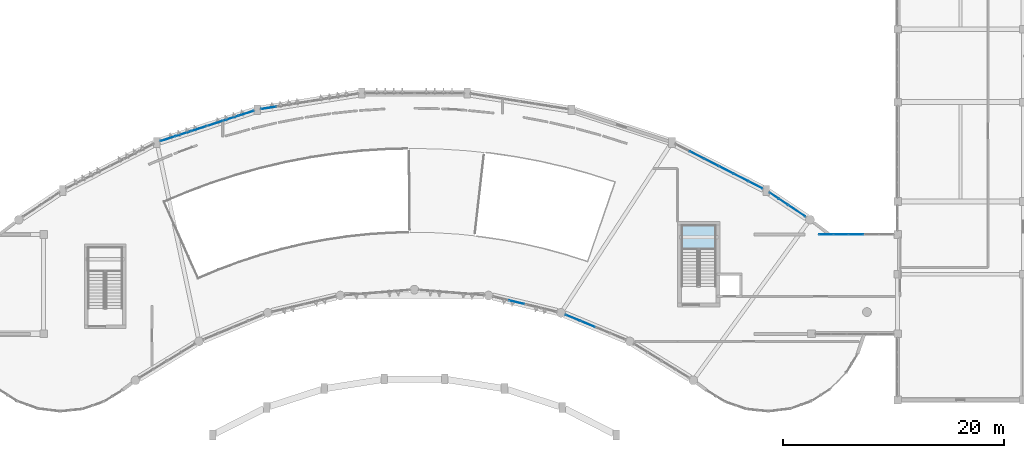
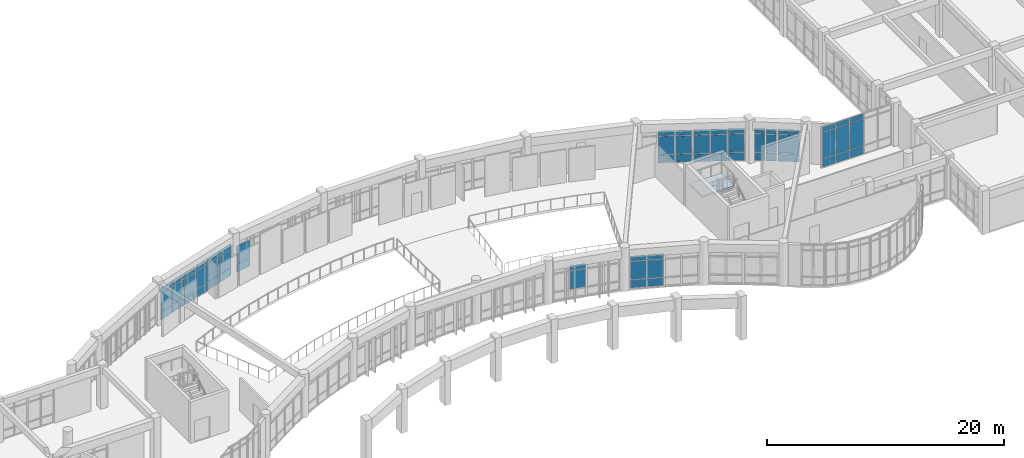
# One storey, part 37 of 57: 61 plates, 1 slab, 11 elements without a shape of their own.
"""IFC4 building model written with IfcOpenShell, lengths in metres."""

from ifc_helpers import new_model, si_unit, direction, frame, origin, origin_2d, place, context, subcontext, project, spatial, polyline, rectangle, outline, extrude, material, layer, layer_set, type_object, element, aggregate, save


model = new_model("IFC4")

# Units and contexts
model_context = context("Model", 3, precision=1e-05, world=origin(), true_north=direction((0.0, 1.0)))
body_context = subcontext(model_context, "Body", "Model", "MODEL_VIEW")
ifc_project = project(units=[si_unit("LENGTHUNIT", "METRE"), si_unit("AREAUNIT", "SQUARE_METRE"), si_unit("VOLUMEUNIT", "CUBIC_METRE"), si_unit("PLANEANGLEUNIT", "RADIAN"), si_unit("MASSUNIT", "GRAM", prefix="KILO")], contexts=[model_context])

# Site, building, storey
site_placement = place(None, origin())
site = spatial("IfcSite", under=ifc_project, at=site_placement, CompositionType="ELEMENT")
building_placement = place(site_placement, origin())
building = spatial("IfcBuilding", under=site, at=building_placement, Name="Miralva Faculty of Natural Sciences", CompositionType="ELEMENT")
storey_placement = place(building_placement, frame((0.0, 0.0, 15.0)))
storey = spatial("IfcBuildingStorey", under=building, at=storey_placement, Name="L03", CompositionType="ELEMENT", Elevation=15.0)

# Curtain wall, plates
ifc_material_1 = material(Name="Laminated solar-control glass", Category="glass")
ifc_layer_1 = layer(ifc_material_1, 0.179931640625, Name="CW-ARC-L03")
ifc_layer_set_1 = layer_set([ifc_layer_1], Name="Laminated solar-control glass")
curtain_wall_type_1 = type_object("IfcCurtainWallType", Name="CW-ARC-L03", PredefinedType="USERDEFINED", material=ifc_layer_set_1)
curtain_wall_1_placement = place(storey_placement, origin())
curtain_wall_1 = element("IfcCurtainWall", 1, at=curtain_wall_1_placement, inside=storey, type_object=curtain_wall_type_1, Name="Curtain wall CW-03 L03-119", ObjectType="UNITISED CURTAIN WALL", PredefinedType="USERDEFINED")
ifc_layer_2 = layer(ifc_material_1, 0.028076171875, Name="PNL-P01")
ifc_layer_set_2 = layer_set([ifc_layer_2], Name="Laminated solar-control glass")
plate_type = type_object("IfcPlateType", Name="PNL-P01", PredefinedType="CURTAIN_PANEL", material=ifc_layer_set_2)
plate_1_placement = place(storey_placement, frame((99.267333984375, 20.860595703125, 0.9326171875), z_axis=(0.0, 0.0, 1.0), x_axis=(0.972367185898, -0.233456753574, 0.0)))
plate_1 = element("IfcPlate", 2, at=plate_1_placement, type_object=plate_type, Name="CW-03 panel 2.2", PredefinedType="CURTAIN_PANEL", context=body_context, shape_type="SweptSolid", body=[
    extrude(rectangle(XDim=1.391845703125, YDim=0.028076171875, at=origin_2d()), origin(), (0.0, 0.0, 1.0), 1.840087890625),
])
plate_2_placement = place(storey_placement, frame((99.267333984375, 20.860595703125, 2.837646484375), z_axis=(0.0, 0.0, 1.0), x_axis=(0.972367185898, -0.233456753574, 0.0)))
plate_2 = element("IfcPlate", 3, at=plate_2_placement, type_object=plate_type, Name="CW-03 panel 2.3", PredefinedType="CURTAIN_PANEL", context=body_context, shape_type="SweptSolid", body=[
    extrude(rectangle(XDim=1.391845703125, YDim=0.028076171875, at=origin_2d()), origin(), (0.0, 0.0, 1.0), 0.50244140625),
])
aggregate(curtain_wall_1, [plate_1, plate_2])

curtain_wall_2_placement = place(storey_placement, origin())
curtain_wall_2 = element("IfcCurtainWall", 4, at=curtain_wall_2_placement, inside=storey, type_object=curtain_wall_type_1, Name="Curtain wall CW-03 L03-121", ObjectType="UNITISED CURTAIN WALL", PredefinedType="USERDEFINED")
plate_3_placement = place(storey_placement, frame((104.36962890625, 19.447265625, 0.06494140625), z_axis=(0.0, 0.0, 1.0), x_axis=(0.9238907876, -0.382656259046, 0.0)))
plate_3 = element("IfcPlate", 5, at=plate_3_placement, type_object=plate_type, Name="CW-03 panel 1.1", PredefinedType="CURTAIN_PANEL", context=body_context, shape_type="SweptSolid", body=[
    extrude(rectangle(XDim=1.3818359375, YDim=0.028076171875, at=origin_2d()), origin(), (0.0, 0.0, 1.0), 0.802490234375),
])
plate_4_placement = place(storey_placement, frame((104.36962890625, 19.447265625, 0.9326171875), z_axis=(0.0, 0.0, 1.0), x_axis=(0.9238907876, -0.382656259046, 0.0)))
plate_4 = element("IfcPlate", 6, at=plate_4_placement, type_object=plate_type, Name="CW-03 panel 1.2", PredefinedType="CURTAIN_PANEL", context=body_context, shape_type="SweptSolid", body=[
    extrude(rectangle(XDim=1.3818359375, YDim=0.028076171875, at=origin_2d()), origin(), (0.0, 0.0, 1.0), 1.840087890625),
])
plate_5_placement = place(storey_placement, frame((104.36962890625, 19.447265625, 2.837646484375), z_axis=(0.0, 0.0, 1.0), x_axis=(0.9238907876, -0.382656259046, 0.0)))
plate_5 = element("IfcPlate", 7, at=plate_5_placement, type_object=plate_type, Name="CW-03 panel 1.3", PredefinedType="CURTAIN_PANEL", context=body_context, shape_type="SweptSolid", body=[
    extrude(rectangle(XDim=1.3818359375, YDim=0.028076171875, at=origin_2d()), origin(), (0.0, 0.0, 1.0), 0.50244140625),
])
plate_6_placement = place(storey_placement, frame((105.706298828125, 18.8935546875, 0.06494140625), z_axis=(0.0, 0.0, 1.0), x_axis=(0.9238907876, -0.382656259046, 0.0)))
plate_6 = element("IfcPlate", 8, at=plate_6_placement, type_object=plate_type, Name="CW-03 panel 2.1", PredefinedType="CURTAIN_PANEL", context=body_context, shape_type="SweptSolid", body=[
    extrude(rectangle(XDim=1.3818359375, YDim=0.028076171875, at=origin_2d()), origin(), (0.0, 0.0, 1.0), 0.802490234375),
])
plate_7_placement = place(storey_placement, frame((105.706298828125, 18.8935546875, 0.9326171875), z_axis=(0.0, 0.0, 1.0), x_axis=(0.9238907876, -0.382656259046, 0.0)))
plate_7 = element("IfcPlate", 9, at=plate_7_placement, type_object=plate_type, Name="CW-03 panel 2.2", PredefinedType="CURTAIN_PANEL", context=body_context, shape_type="SweptSolid", body=[
    extrude(rectangle(XDim=1.3818359375, YDim=0.028076171875, at=origin_2d()), origin(), (0.0, 0.0, 1.0), 1.840087890625),
])
plate_8_placement = place(storey_placement, frame((105.706298828125, 18.8935546875, 2.837646484375), z_axis=(0.0, 0.0, 1.0), x_axis=(0.9238907876, -0.382656259046, 0.0)))
plate_8 = element("IfcPlate", 10, at=plate_8_placement, type_object=plate_type, Name="CW-03 panel 2.3", PredefinedType="CURTAIN_PANEL", context=body_context, shape_type="SweptSolid", body=[
    extrude(rectangle(XDim=1.3818359375, YDim=0.028076171875, at=origin_2d()), origin(), (0.0, 0.0, 1.0), 0.50244140625),
])
aggregate(curtain_wall_2, [plate_3, plate_4, plate_5, plate_6, plate_7, plate_8])

curtain_wall_3_placement = place(storey_placement, origin())
curtain_wall_3 = element("IfcCurtainWall", 11, at=curtain_wall_3_placement, inside=storey, type_object=curtain_wall_type_1, Name="Curtain wall CW-03 L03-129", ObjectType="UNITISED CURTAIN WALL", PredefinedType="USERDEFINED")
plate_9_placement = place(storey_placement, frame((67.6640625, 35.68408203125, 0.06005859375), z_axis=(0.0, 0.0, 1.0), x_axis=(0.951058446626, 0.309011053363, 0.0)))
plate_9 = element("IfcPlate", 12, at=plate_9_placement, type_object=plate_type, Name="CW-03 panel 1.1", PredefinedType="CURTAIN_PANEL", context=body_context, shape_type="SweptSolid", body=[
    extrude(rectangle(XDim=1.3994140625, YDim=0.028076171875, at=origin_2d()), origin(), (0.0, 0.0, 1.0), 0.81005859375),
])
plate_10_placement = place(storey_placement, frame((67.6640625, 35.68408203125, 0.93017578125), z_axis=(0.0, 0.0, 1.0), x_axis=(0.951058446626, 0.309011053363, 0.0)))
plate_10 = element("IfcPlate", 13, at=plate_10_placement, type_object=plate_type, Name="CW-03 panel 1.2", PredefinedType="CURTAIN_PANEL", context=body_context, shape_type="SweptSolid", body=[
    extrude(rectangle(XDim=1.3994140625, YDim=0.028076171875, at=origin_2d()), origin(), (0.0, 0.0, 1.0), 1.844970703125),
])
plate_11_placement = place(storey_placement, frame((67.6640625, 35.68408203125, 2.8349609375), z_axis=(0.0, 0.0, 1.0), x_axis=(0.951058446626, 0.309011053363, 0.0)))
plate_11 = element("IfcPlate", 14, at=plate_11_placement, type_object=plate_type, Name="CW-03 panel 1.3", PredefinedType="CURTAIN_PANEL", context=body_context, shape_type="SweptSolid", body=[
    extrude(rectangle(XDim=1.3994140625, YDim=0.028076171875, at=origin_2d()), origin(), (0.0, 0.0, 1.0), 0.510009765625),
])
plate_12_placement = place(storey_placement, frame((69.072509765625, 36.1416015625, 0.06005859375), z_axis=(0.0, 0.0, 1.0), x_axis=(0.951058446626, 0.309011053363, 0.0)))
plate_12 = element("IfcPlate", 15, at=plate_12_placement, type_object=plate_type, Name="CW-03 panel 2.1", PredefinedType="CURTAIN_PANEL", context=body_context, shape_type="SweptSolid", body=[
    extrude(rectangle(XDim=1.43212890625, YDim=0.028076171875, at=origin_2d()), origin(), (0.0, 0.0, 1.0), 0.81005859375),
])
plate_13_placement = place(storey_placement, frame((69.072509765625, 36.1416015625, 0.93017578125), z_axis=(0.0, 0.0, 1.0), x_axis=(0.951058446626, 0.309011053363, 0.0)))
plate_13 = element("IfcPlate", 16, at=plate_13_placement, type_object=plate_type, Name="CW-03 panel 2.2", PredefinedType="CURTAIN_PANEL", context=body_context, shape_type="SweptSolid", body=[
    extrude(rectangle(XDim=1.43212890625, YDim=0.028076171875, at=origin_2d()), origin(), (0.0, 0.0, 1.0), 1.844970703125),
])
plate_14_placement = place(storey_placement, frame((69.072509765625, 36.1416015625, 2.8349609375), z_axis=(0.0, 0.0, 1.0), x_axis=(0.951058446626, 0.309011053363, 0.0)))
plate_14 = element("IfcPlate", 17, at=plate_14_placement, type_object=plate_type, Name="CW-03 panel 2.3", PredefinedType="CURTAIN_PANEL", context=body_context, shape_type="SweptSolid", body=[
    extrude(rectangle(XDim=1.43212890625, YDim=0.028076171875, at=origin_2d()), origin(), (0.0, 0.0, 1.0), 0.510009765625),
])
plate_15_placement = place(storey_placement, frame((70.480712890625, 36.599365234375, 0.06005859375), z_axis=(0.0, 0.0, 1.0), x_axis=(0.951058446626, 0.309011053363, 0.0)))
plate_15 = element("IfcPlate", 18, at=plate_15_placement, type_object=plate_type, Name="CW-03 panel 3.1", PredefinedType="CURTAIN_PANEL", context=body_context, shape_type="SweptSolid", body=[
    extrude(rectangle(XDim=1.3994140625, YDim=0.028076171875, at=origin_2d()), origin(), (0.0, 0.0, 1.0), 0.81005859375),
])
plate_16_placement = place(storey_placement, frame((70.480712890625, 36.599365234375, 0.93017578125), z_axis=(0.0, 0.0, 1.0), x_axis=(0.951058446626, 0.309011053363, 0.0)))
plate_16 = element("IfcPlate", 19, at=plate_16_placement, type_object=plate_type, Name="CW-03 panel 3.2", PredefinedType="CURTAIN_PANEL", context=body_context, shape_type="SweptSolid", body=[
    extrude(rectangle(XDim=1.3994140625, YDim=0.028076171875, at=origin_2d()), origin(), (0.0, 0.0, 1.0), 1.844970703125),
])
plate_17_placement = place(storey_placement, frame((70.480712890625, 36.599365234375, 2.8349609375), z_axis=(0.0, 0.0, 1.0), x_axis=(0.951058446626, 0.309011053363, 0.0)))
plate_17 = element("IfcPlate", 20, at=plate_17_placement, type_object=plate_type, Name="CW-03 panel 3.3", PredefinedType="CURTAIN_PANEL", context=body_context, shape_type="SweptSolid", body=[
    extrude(rectangle(XDim=1.3994140625, YDim=0.028076171875, at=origin_2d()), origin(), (0.0, 0.0, 1.0), 0.510009765625),
])
aggregate(curtain_wall_3, [plate_9, plate_10, plate_11, plate_12, plate_13, plate_14, plate_15, plate_16, plate_17])

curtain_wall_4_placement = place(storey_placement, origin())
curtain_wall_4 = element("IfcCurtainWall", 21, at=curtain_wall_4_placement, inside=storey, type_object=curtain_wall_type_1, Name="Curtain wall CW-03 L03-130", ObjectType="UNITISED CURTAIN WALL", PredefinedType="USERDEFINED")
plate_18_placement = place(storey_placement, frame((71.931396484375, 37.070556640625, 0.06005859375), z_axis=(0.0, 0.0, 1.0), x_axis=(0.95106021738, 0.309005603375, 0.0)))
plate_18 = element("IfcPlate", 22, at=plate_18_placement, type_object=plate_type, Name="CW-03 panel 1.1", PredefinedType="CURTAIN_PANEL", context=body_context, shape_type="SweptSolid", body=[
    extrude(rectangle(XDim=1.401123046875, YDim=0.028076171875, at=origin_2d()), origin(), (0.0, 0.0, 1.0), 0.81005859375),
])
plate_19_placement = place(storey_placement, frame((71.931396484375, 37.070556640625, 0.93017578125), z_axis=(0.0, 0.0, 1.0), x_axis=(0.95106021738, 0.309005603375, 0.0)))
plate_19 = element("IfcPlate", 23, at=plate_19_placement, type_object=plate_type, Name="CW-03 panel 1.2", PredefinedType="CURTAIN_PANEL", context=body_context, shape_type="SweptSolid", body=[
    extrude(rectangle(XDim=1.401123046875, YDim=0.028076171875, at=origin_2d()), origin(), (0.0, 0.0, 1.0), 1.844970703125),
])
plate_20_placement = place(storey_placement, frame((71.931396484375, 37.070556640625, 2.8349609375), z_axis=(0.0, 0.0, 1.0), x_axis=(0.95106021738, 0.309005603375, 0.0)))
plate_20 = element("IfcPlate", 24, at=plate_20_placement, type_object=plate_type, Name="CW-03 panel 1.3", PredefinedType="CURTAIN_PANEL", context=body_context, shape_type="SweptSolid", body=[
    extrude(rectangle(XDim=1.401123046875, YDim=0.028076171875, at=origin_2d()), origin(), (0.0, 0.0, 1.0), 0.510009765625),
])
plate_21_placement = place(storey_placement, frame((73.34130859375, 37.52880859375, 0.06005859375), z_axis=(0.0, 0.0, 1.0), x_axis=(0.95106021738, 0.309005603375, 0.0)))
plate_21 = element("IfcPlate", 25, at=plate_21_placement, type_object=plate_type, Name="CW-03 panel 2.1", PredefinedType="CURTAIN_PANEL", context=body_context, shape_type="SweptSolid", body=[
    extrude(rectangle(XDim=1.43359375, YDim=0.028076171875, at=origin_2d()), origin(), (0.0, 0.0, 1.0), 0.81005859375),
])
plate_22_placement = place(storey_placement, frame((73.34130859375, 37.52880859375, 0.93017578125), z_axis=(0.0, 0.0, 1.0), x_axis=(0.95106021738, 0.309005603375, 0.0)))
plate_22 = element("IfcPlate", 26, at=plate_22_placement, type_object=plate_type, Name="CW-03 panel 2.2", PredefinedType="CURTAIN_PANEL", context=body_context, shape_type="SweptSolid", body=[
    extrude(rectangle(XDim=1.43359375, YDim=0.028076171875, at=origin_2d()), origin(), (0.0, 0.0, 1.0), 1.844970703125),
])
plate_23_placement = place(storey_placement, frame((73.34130859375, 37.52880859375, 2.8349609375), z_axis=(0.0, 0.0, 1.0), x_axis=(0.95106021738, 0.309005603375, 0.0)))
plate_23 = element("IfcPlate", 27, at=plate_23_placement, type_object=plate_type, Name="CW-03 panel 2.3", PredefinedType="CURTAIN_PANEL", context=body_context, shape_type="SweptSolid", body=[
    extrude(rectangle(XDim=1.43359375, YDim=0.028076171875, at=origin_2d()), origin(), (0.0, 0.0, 1.0), 0.510009765625),
])
plate_24_placement = place(storey_placement, frame((74.751220703125, 37.98681640625, 0.06005859375), z_axis=(0.0, 0.0, 1.0), x_axis=(0.95106021738, 0.309005603375, 0.0)))
plate_24 = element("IfcPlate", 28, at=plate_24_placement, type_object=plate_type, Name="CW-03 panel 3.1", PredefinedType="CURTAIN_PANEL", context=body_context, shape_type="SweptSolid", body=[
    extrude(rectangle(XDim=1.401123046875, YDim=0.028076171875, at=origin_2d()), origin(), (0.0, 0.0, 1.0), 0.81005859375),
])
plate_25_placement = place(storey_placement, frame((74.751220703125, 37.98681640625, 0.93017578125), z_axis=(0.0, 0.0, 1.0), x_axis=(0.95106021738, 0.309005603375, 0.0)))
plate_25 = element("IfcPlate", 29, at=plate_25_placement, type_object=plate_type, Name="CW-03 panel 3.2", PredefinedType="CURTAIN_PANEL", context=body_context, shape_type="SweptSolid", body=[
    extrude(rectangle(XDim=1.401123046875, YDim=0.028076171875, at=origin_2d()), origin(), (0.0, 0.0, 1.0), 1.844970703125),
])
plate_26_placement = place(storey_placement, frame((74.751220703125, 37.98681640625, 2.8349609375), z_axis=(0.0, 0.0, 1.0), x_axis=(0.95106021738, 0.309005603375, 0.0)))
plate_26 = element("IfcPlate", 30, at=plate_26_placement, type_object=plate_type, Name="CW-03 panel 3.3", PredefinedType="CURTAIN_PANEL", context=body_context, shape_type="SweptSolid", body=[
    extrude(rectangle(XDim=1.401123046875, YDim=0.028076171875, at=origin_2d()), origin(), (0.0, 0.0, 1.0), 0.510009765625),
])
aggregate(curtain_wall_4, [plate_18, plate_19, plate_20, plate_21, plate_22, plate_23, plate_24, plate_25, plate_26])

curtain_wall_5_placement = place(storey_placement, origin())
curtain_wall_5 = element("IfcCurtainWall", 31, at=curtain_wall_5_placement, inside=storey, type_object=curtain_wall_type_1, Name="Curtain wall CW-03 L03-131", ObjectType="UNITISED CURTAIN WALL", PredefinedType="USERDEFINED")
plate_27_placement = place(storey_placement, frame((76.79833984375, 38.47900390625, 0.06005859375), z_axis=(0.0, 0.0, 1.0), x_axis=(0.987688816642, 0.156431459367, 0.0)))
plate_27 = element("IfcPlate", 32, at=plate_27_placement, type_object=plate_type, Name="CW-03 panel 1.1", PredefinedType="CURTAIN_PANEL", context=body_context, shape_type="SweptSolid", body=[
    extrude(rectangle(XDim=1.40283203125, YDim=0.028076171875, at=origin_2d()), origin(), (0.0, 0.0, 1.0), 0.81005859375),
])
plate_28_placement = place(storey_placement, frame((76.79833984375, 38.47900390625, 0.93017578125), z_axis=(0.0, 0.0, 1.0), x_axis=(0.987688816642, 0.156431459367, 0.0)))
plate_28 = element("IfcPlate", 33, at=plate_28_placement, type_object=plate_type, Name="CW-03 panel 1.2", PredefinedType="CURTAIN_PANEL", context=body_context, shape_type="SweptSolid", body=[
    extrude(rectangle(XDim=1.40283203125, YDim=0.028076171875, at=origin_2d()), origin(), (0.0, 0.0, 1.0), 1.844970703125),
])
aggregate(curtain_wall_5, [plate_27, plate_28])

curtain_wall_6_placement = place(storey_placement, origin())
curtain_wall_6 = element("IfcCurtainWall", 34, at=curtain_wall_6_placement, inside=storey, type_object=curtain_wall_type_1, Name="Curtain wall CW-03 L03-137", ObjectType="UNITISED CURTAIN WALL", PredefinedType="USERDEFINED")
plate_29_placement = place(storey_placement, frame((115.6162109375, 34.19873046875, 0.06005859375), z_axis=(0.0, 0.0, 1.0), x_axis=(0.891015257812, -0.453973358631, 0.0)))
plate_29 = element("IfcPlate", 35, at=plate_29_placement, type_object=plate_type, Name="CW-03 panel 2.1", PredefinedType="CURTAIN_PANEL", context=body_context, shape_type="SweptSolid", body=[
    extrude(rectangle(XDim=1.42529296875, YDim=0.028076171875, at=origin_2d()), origin(), (0.0, 0.0, 1.0), 0.81005859375),
])
plate_30_placement = place(storey_placement, frame((115.6162109375, 34.19873046875, 0.93017578125), z_axis=(0.0, 0.0, 1.0), x_axis=(0.891015257812, -0.453973358631, 0.0)))
plate_30 = element("IfcPlate", 36, at=plate_30_placement, type_object=plate_type, Name="CW-03 panel 2.2", PredefinedType="CURTAIN_PANEL", context=body_context, shape_type="SweptSolid", body=[
    extrude(rectangle(XDim=1.42529296875, YDim=0.028076171875, at=origin_2d()), origin(), (0.0, 0.0, 1.0), 1.844970703125),
])
plate_31_placement = place(storey_placement, frame((115.6162109375, 34.19873046875, 2.8349609375), z_axis=(0.0, 0.0, 1.0), x_axis=(0.891015257812, -0.453973358631, 0.0)))
plate_31 = element("IfcPlate", 37, at=plate_31_placement, type_object=plate_type, Name="CW-03 panel 2.3", PredefinedType="CURTAIN_PANEL", context=body_context, shape_type="SweptSolid", body=[
    extrude(rectangle(XDim=1.42529296875, YDim=0.028076171875, at=origin_2d()), origin(), (0.0, 0.0, 1.0), 0.510009765625),
])
plate_32_placement = place(storey_placement, frame((116.9296875, 33.529541015625, 0.06005859375), z_axis=(0.0, 0.0, 1.0), x_axis=(0.891015257812, -0.453973358631, 0.0)))
plate_32 = element("IfcPlate", 38, at=plate_32_placement, type_object=plate_type, Name="CW-03 panel 3.1", PredefinedType="CURTAIN_PANEL", context=body_context, shape_type="SweptSolid", body=[
    extrude(rectangle(XDim=1.392822265625, YDim=0.028076171875, at=origin_2d()), origin(), (0.0, 0.0, 1.0), 0.81005859375),
])
plate_33_placement = place(storey_placement, frame((116.9296875, 33.529541015625, 0.93017578125), z_axis=(0.0, 0.0, 1.0), x_axis=(0.891015257812, -0.453973358631, 0.0)))
plate_33 = element("IfcPlate", 39, at=plate_33_placement, type_object=plate_type, Name="CW-03 panel 3.2", PredefinedType="CURTAIN_PANEL", context=body_context, shape_type="SweptSolid", body=[
    extrude(rectangle(XDim=1.392822265625, YDim=0.028076171875, at=origin_2d()), origin(), (0.0, 0.0, 1.0), 1.844970703125),
])
plate_34_placement = place(storey_placement, frame((116.9296875, 33.529541015625, 2.8349609375), z_axis=(0.0, 0.0, 1.0), x_axis=(0.891015257812, -0.453973358631, 0.0)))
plate_34 = element("IfcPlate", 40, at=plate_34_placement, type_object=plate_type, Name="CW-03 panel 3.3", PredefinedType="CURTAIN_PANEL", context=body_context, shape_type="SweptSolid", body=[
    extrude(rectangle(XDim=1.392822265625, YDim=0.028076171875, at=origin_2d()), origin(), (0.0, 0.0, 1.0), 0.510009765625),
])
aggregate(curtain_wall_6, [plate_29, plate_30, plate_31, plate_32, plate_33, plate_34])

curtain_wall_7_placement = place(storey_placement, origin())
curtain_wall_7 = element("IfcCurtainWall", 41, at=curtain_wall_7_placement, inside=storey, type_object=curtain_wall_type_1, Name="Curtain wall CW-03 L03-138", ObjectType="UNITISED CURTAIN WALL", PredefinedType="USERDEFINED")
plate_35_placement = place(storey_placement, frame((118.28271484375, 32.840087890625, 0.06005859375), z_axis=(0.0, 0.0, 1.0), x_axis=(0.891000961211, -0.454001417532, 0.0)))
plate_35 = element("IfcPlate", 42, at=plate_35_placement, type_object=plate_type, Name="CW-03 panel 1.1", PredefinedType="CURTAIN_PANEL", context=body_context, shape_type="SweptSolid", body=[
    extrude(rectangle(XDim=1.39453125, YDim=0.028076171875, at=origin_2d()), origin(), (0.0, 0.0, 1.0), 0.81005859375),
])
plate_36_placement = place(storey_placement, frame((118.28271484375, 32.840087890625, 0.93017578125), z_axis=(0.0, 0.0, 1.0), x_axis=(0.891000961211, -0.454001417532, 0.0)))
plate_36 = element("IfcPlate", 43, at=plate_36_placement, type_object=plate_type, Name="CW-03 panel 1.2", PredefinedType="CURTAIN_PANEL", context=body_context, shape_type="SweptSolid", body=[
    extrude(rectangle(XDim=1.39453125, YDim=0.028076171875, at=origin_2d()), origin(), (0.0, 0.0, 1.0), 1.844970703125),
])
plate_37_placement = place(storey_placement, frame((118.28271484375, 32.840087890625, 2.8349609375), z_axis=(0.0, 0.0, 1.0), x_axis=(0.891000961211, -0.454001417532, 0.0)))
plate_37 = element("IfcPlate", 44, at=plate_37_placement, type_object=plate_type, Name="CW-03 panel 1.3", PredefinedType="CURTAIN_PANEL", context=body_context, shape_type="SweptSolid", body=[
    extrude(rectangle(XDim=1.39453125, YDim=0.028076171875, at=origin_2d()), origin(), (0.0, 0.0, 1.0), 0.510009765625),
])
plate_38_placement = place(storey_placement, frame((119.59765625, 32.170166015625, 0.06005859375), z_axis=(0.0, 0.0, 1.0), x_axis=(0.891000961211, -0.454001417532, 0.0)))
plate_38 = element("IfcPlate", 45, at=plate_38_placement, type_object=plate_type, Name="CW-03 panel 2.1", PredefinedType="CURTAIN_PANEL", context=body_context, shape_type="SweptSolid", body=[
    extrude(rectangle(XDim=1.427001953125, YDim=0.028076171875, at=origin_2d()), origin(), (0.0, 0.0, 1.0), 0.81005859375),
])
plate_39_placement = place(storey_placement, frame((119.59765625, 32.170166015625, 0.93017578125), z_axis=(0.0, 0.0, 1.0), x_axis=(0.891000961211, -0.454001417532, 0.0)))
plate_39 = element("IfcPlate", 46, at=plate_39_placement, type_object=plate_type, Name="CW-03 panel 2.2", PredefinedType="CURTAIN_PANEL", context=body_context, shape_type="SweptSolid", body=[
    extrude(rectangle(XDim=1.427001953125, YDim=0.028076171875, at=origin_2d()), origin(), (0.0, 0.0, 1.0), 1.844970703125),
])
plate_40_placement = place(storey_placement, frame((119.59765625, 32.170166015625, 2.8349609375), z_axis=(0.0, 0.0, 1.0), x_axis=(0.891000961211, -0.454001417532, 0.0)))
plate_40 = element("IfcPlate", 47, at=plate_40_placement, type_object=plate_type, Name="CW-03 panel 2.3", PredefinedType="CURTAIN_PANEL", context=body_context, shape_type="SweptSolid", body=[
    extrude(rectangle(XDim=1.427001953125, YDim=0.028076171875, at=origin_2d()), origin(), (0.0, 0.0, 1.0), 0.510009765625),
])
plate_41_placement = place(storey_placement, frame((120.91259765625, 31.500244140625, 0.06005859375), z_axis=(0.0, 0.0, 1.0), x_axis=(0.891000961211, -0.454001417532, 0.0)))
plate_41 = element("IfcPlate", 48, at=plate_41_placement, type_object=plate_type, Name="CW-03 panel 3.1", PredefinedType="CURTAIN_PANEL", context=body_context, shape_type="SweptSolid", body=[
    extrude(rectangle(XDim=1.39453125, YDim=0.028076171875, at=origin_2d()), origin(), (0.0, 0.0, 1.0), 0.81005859375),
])
plate_42_placement = place(storey_placement, frame((120.91259765625, 31.500244140625, 0.93017578125), z_axis=(0.0, 0.0, 1.0), x_axis=(0.891000961211, -0.454001417532, 0.0)))
plate_42 = element("IfcPlate", 49, at=plate_42_placement, type_object=plate_type, Name="CW-03 panel 3.2", PredefinedType="CURTAIN_PANEL", context=body_context, shape_type="SweptSolid", body=[
    extrude(rectangle(XDim=1.39453125, YDim=0.028076171875, at=origin_2d()), origin(), (0.0, 0.0, 1.0), 1.844970703125),
])
plate_43_placement = place(storey_placement, frame((120.91259765625, 31.500244140625, 2.8349609375), z_axis=(0.0, 0.0, 1.0), x_axis=(0.891000961211, -0.454001417532, 0.0)))
plate_43 = element("IfcPlate", 50, at=plate_43_placement, type_object=plate_type, Name="CW-03 panel 3.3", PredefinedType="CURTAIN_PANEL", context=body_context, shape_type="SweptSolid", body=[
    extrude(rectangle(XDim=1.39453125, YDim=0.028076171875, at=origin_2d()), origin(), (0.0, 0.0, 1.0), 0.510009765625),
])
aggregate(curtain_wall_7, [plate_35, plate_36, plate_37, plate_38, plate_39, plate_40, plate_41, plate_42, plate_43])

curtain_wall_8_placement = place(storey_placement, origin())
curtain_wall_8 = element("IfcCurtainWall", 51, at=curtain_wall_8_placement, inside=storey, type_object=curtain_wall_type_1, Name="Curtain wall CW-03 L03-139", ObjectType="UNITISED CURTAIN WALL", PredefinedType="USERDEFINED")
plate_44_placement = place(storey_placement, frame((122.598876953125, 30.525634765625, 0.06005859375), z_axis=(0.0, 0.0, 1.0), x_axis=(0.831456918339, -0.555589230409, 0.0)))
plate_44 = element("IfcPlate", 52, at=plate_44_placement, type_object=plate_type, Name="CW-03 panel 1.1", PredefinedType="CURTAIN_PANEL", context=body_context, shape_type="SweptSolid", body=[
    extrude(rectangle(XDim=0.927490234375, YDim=0.028076171875, at=origin_2d()), origin(), (0.0, 0.0, 1.0), 0.81005859375),
])
plate_45_placement = place(storey_placement, frame((122.598876953125, 30.525634765625, 0.93017578125), z_axis=(0.0, 0.0, 1.0), x_axis=(0.831456918339, -0.555589230409, 0.0)))
plate_45 = element("IfcPlate", 53, at=plate_45_placement, type_object=plate_type, Name="CW-03 panel 1.2", PredefinedType="CURTAIN_PANEL", context=body_context, shape_type="SweptSolid", body=[
    extrude(rectangle(XDim=0.927490234375, YDim=0.028076171875, at=origin_2d()), origin(), (0.0, 0.0, 1.0), 1.844970703125),
])
plate_46_placement = place(storey_placement, frame((122.598876953125, 30.525634765625, 2.8349609375), z_axis=(0.0, 0.0, 1.0), x_axis=(0.831456918339, -0.555589230409, 0.0)))
plate_46 = element("IfcPlate", 54, at=plate_46_placement, type_object=plate_type, Name="CW-03 panel 1.3", PredefinedType="CURTAIN_PANEL", context=body_context, shape_type="SweptSolid", body=[
    extrude(rectangle(XDim=0.927490234375, YDim=0.028076171875, at=origin_2d()), origin(), (0.0, 0.0, 1.0), 0.510009765625),
])
plate_47_placement = place(storey_placement, frame((123.424072265625, 29.974365234375, 0.06005859375), z_axis=(0.0, 0.0, 1.0), x_axis=(0.831456918339, -0.555589230409, 0.0)))
plate_47 = element("IfcPlate", 55, at=plate_47_placement, type_object=plate_type, Name="CW-03 panel 2.1", PredefinedType="CURTAIN_PANEL", context=body_context, shape_type="SweptSolid", body=[
    extrude(rectangle(XDim=0.927490234375, YDim=0.028076171875, at=origin_2d()), origin(), (0.0, 0.0, 1.0), 0.81005859375),
])
plate_48_placement = place(storey_placement, frame((123.424072265625, 29.974365234375, 0.93017578125), z_axis=(0.0, 0.0, 1.0), x_axis=(0.831456918339, -0.555589230409, 0.0)))
plate_48 = element("IfcPlate", 56, at=plate_48_placement, type_object=plate_type, Name="CW-03 panel 2.2", PredefinedType="CURTAIN_PANEL", context=body_context, shape_type="SweptSolid", body=[
    extrude(rectangle(XDim=0.927490234375, YDim=0.028076171875, at=origin_2d()), origin(), (0.0, 0.0, 1.0), 1.844970703125),
])
plate_49_placement = place(storey_placement, frame((123.424072265625, 29.974365234375, 2.8349609375), z_axis=(0.0, 0.0, 1.0), x_axis=(0.831456918339, -0.555589230409, 0.0)))
plate_49 = element("IfcPlate", 57, at=plate_49_placement, type_object=plate_type, Name="CW-03 panel 2.3", PredefinedType="CURTAIN_PANEL", context=body_context, shape_type="SweptSolid", body=[
    extrude(rectangle(XDim=0.927490234375, YDim=0.028076171875, at=origin_2d()), origin(), (0.0, 0.0, 1.0), 0.510009765625),
])
aggregate(curtain_wall_8, [plate_44, plate_45, plate_46, plate_47, plate_48, plate_49])

curtain_wall_9_placement = place(storey_placement, origin())
curtain_wall_9 = element("IfcCurtainWall", 58, at=curtain_wall_9_placement, inside=storey, type_object=curtain_wall_type_1, Name="Curtain wall CW-03 L03-140", ObjectType="UNITISED CURTAIN WALL", PredefinedType="USERDEFINED")
plate_50_placement = place(storey_placement, frame((124.663818359375, 29.145751953125, 0.06005859375), z_axis=(0.0, 0.0, 1.0), x_axis=(0.831485319776, -0.555546724404, 0.0)))
plate_50 = element("IfcPlate", 59, at=plate_50_placement, type_object=plate_type, Name="CW-03 panel 1.1", PredefinedType="CURTAIN_PANEL", context=body_context, shape_type="SweptSolid", body=[
    extrude(rectangle(XDim=1.804931640625, YDim=0.028076171875, at=origin_2d()), origin(), (0.0, 0.0, 1.0), 0.81005859375),
])
plate_51_placement = place(storey_placement, frame((124.663818359375, 29.145751953125, 0.93017578125), z_axis=(0.0, 0.0, 1.0), x_axis=(0.831485319776, -0.555546724404, 0.0)))
plate_51 = element("IfcPlate", 60, at=plate_51_placement, type_object=plate_type, Name="CW-03 panel 1.2", PredefinedType="CURTAIN_PANEL", context=body_context, shape_type="SweptSolid", body=[
    extrude(rectangle(XDim=1.804931640625, YDim=0.028076171875, at=origin_2d()), origin(), (0.0, 0.0, 1.0), 1.844970703125),
])
plate_52_placement = place(storey_placement, frame((124.663818359375, 29.145751953125, 2.8349609375), z_axis=(0.0, 0.0, 1.0), x_axis=(0.831485319776, -0.555546724404, 0.0)))
plate_52 = element("IfcPlate", 61, at=plate_52_placement, type_object=plate_type, Name="CW-03 panel 1.3", PredefinedType="CURTAIN_PANEL", context=body_context, shape_type="SweptSolid", body=[
    extrude(rectangle(XDim=1.804931640625, YDim=0.028076171875, at=origin_2d()), origin(), (0.0, 0.0, 1.0), 0.510009765625),
])
aggregate(curtain_wall_9, [plate_50, plate_51, plate_52])

ifc_layer_3 = layer(ifc_material_1, 0.179931640625, Name="CW-COM-L01")
ifc_layer_set_3 = layer_set([ifc_layer_3], Name="Laminated solar-control glass")
curtain_wall_type_2 = type_object("IfcCurtainWallType", Name="CW-COM-L01", PredefinedType="USERDEFINED", material=ifc_layer_set_3)
curtain_wall_10_placement = place(storey_placement, origin())
curtain_wall_10 = element("IfcCurtainWall", 62, at=curtain_wall_10_placement, inside=storey, type_object=curtain_wall_type_2, Name="Curtain wall CW-10 L03-305", ObjectType="UNITISED CURTAIN WALL", PredefinedType="USERDEFINED")
plate_53_placement = place(storey_placement, frame((127.319580078125, 27.0, 0.06005859375), z_axis=(0.0, 0.0, 1.0), x_axis=(1.0, 0.0, 0.0)))
plate_53 = element("IfcPlate", 63, at=plate_53_placement, type_object=plate_type, Name="CW-10 panel 1.1", PredefinedType="CURTAIN_PANEL", context=body_context, shape_type="SweptSolid", body=[
    extrude(rectangle(XDim=1.279052734375, YDim=0.028076171875, at=origin_2d()), origin(), (0.0, 0.0, 1.0), 0.81005859375),
])
plate_54_placement = place(storey_placement, frame((127.319580078125, 27.0, 0.929931640625), z_axis=(0.0, 0.0, 1.0), x_axis=(1.0, 0.0, 0.0)))
plate_54 = element("IfcPlate", 64, at=plate_54_placement, type_object=plate_type, Name="CW-10 panel 1.2", PredefinedType="CURTAIN_PANEL", context=body_context, shape_type="SweptSolid", body=[
    extrude(rectangle(XDim=1.279052734375, YDim=0.028076171875, at=origin_2d()), origin(), (0.0, 0.0, 1.0), 2.68994140625),
])
plate_55_placement = place(storey_placement, frame((127.319580078125, 27.0, 3.68017578125), z_axis=(0.0, 0.0, 1.0), x_axis=(1.0, 0.0, 0.0)))
plate_55 = element("IfcPlate", 65, at=plate_55_placement, type_object=plate_type, Name="CW-10 panel 1.3", PredefinedType="CURTAIN_PANEL", context=body_context, shape_type="SweptSolid", body=[
    extrude(rectangle(XDim=1.279052734375, YDim=0.028076171875, at=origin_2d()), origin(), (0.0, 0.0, 1.0), 0.510009765625),
])
plate_56_placement = place(storey_placement, frame((128.673583984375, 27.0, 0.06005859375), z_axis=(0.0, 0.0, 1.0), x_axis=(1.0, 0.0, 0.0)))
plate_56 = element("IfcPlate", 66, at=plate_56_placement, type_object=plate_type, Name="CW-10 panel 2.1", PredefinedType="CURTAIN_PANEL", context=body_context, shape_type="SweptSolid", body=[
    extrude(rectangle(XDim=1.30908203125, YDim=0.028076171875, at=origin_2d()), origin(), (0.0, 0.0, 1.0), 0.81005859375),
])
plate_57_placement = place(storey_placement, frame((128.673583984375, 27.0, 0.929931640625), z_axis=(0.0, 0.0, 1.0), x_axis=(1.0, 0.0, 0.0)))
plate_57 = element("IfcPlate", 67, at=plate_57_placement, type_object=plate_type, Name="CW-10 panel 2.2", PredefinedType="CURTAIN_PANEL", context=body_context, shape_type="SweptSolid", body=[
    extrude(rectangle(XDim=1.30908203125, YDim=0.028076171875, at=origin_2d()), origin(), (0.0, 0.0, 1.0), 2.68994140625),
])
plate_58_placement = place(storey_placement, frame((128.673583984375, 27.0, 3.68017578125), z_axis=(0.0, 0.0, 1.0), x_axis=(1.0, 0.0, 0.0)))
plate_58 = element("IfcPlate", 68, at=plate_58_placement, type_object=plate_type, Name="CW-10 panel 2.3", PredefinedType="CURTAIN_PANEL", context=body_context, shape_type="SweptSolid", body=[
    extrude(rectangle(XDim=1.30908203125, YDim=0.028076171875, at=origin_2d()), origin(), (0.0, 0.0, 1.0), 0.510009765625),
])
plate_59_placement = place(storey_placement, frame((130.04248046875, 27.0, 0.06005859375), z_axis=(0.0, 0.0, 1.0), x_axis=(1.0, 0.0, 0.0)))
plate_59 = element("IfcPlate", 69, at=plate_59_placement, type_object=plate_type, Name="CW-10 panel 3.1", PredefinedType="CURTAIN_PANEL", context=body_context, shape_type="SweptSolid", body=[
    extrude(rectangle(XDim=1.30908203125, YDim=0.028076171875, at=origin_2d()), origin(), (0.0, 0.0, 1.0), 0.81005859375),
])
plate_60_placement = place(storey_placement, frame((130.04248046875, 27.0, 0.929931640625), z_axis=(0.0, 0.0, 1.0), x_axis=(1.0, 0.0, 0.0)))
plate_60 = element("IfcPlate", 70, at=plate_60_placement, type_object=plate_type, Name="CW-10 panel 3.2", PredefinedType="CURTAIN_PANEL", context=body_context, shape_type="SweptSolid", body=[
    extrude(rectangle(XDim=1.30908203125, YDim=0.028076171875, at=origin_2d()), origin(), (0.0, 0.0, 1.0), 2.68994140625),
])
plate_61_placement = place(storey_placement, frame((130.04248046875, 27.0, 3.68017578125), z_axis=(0.0, 0.0, 1.0), x_axis=(1.0, 0.0, 0.0)))
plate_61 = element("IfcPlate", 71, at=plate_61_placement, type_object=plate_type, Name="CW-10 panel 3.3", PredefinedType="CURTAIN_PANEL", context=body_context, shape_type="SweptSolid", body=[
    extrude(rectangle(XDim=1.30908203125, YDim=0.028076171875, at=origin_2d()), origin(), (0.0, 0.0, 1.0), 0.510009765625),
])
aggregate(curtain_wall_10, [plate_53, plate_54, plate_55, plate_56, plate_57, plate_58, plate_59, plate_60, plate_61])

# Stair, slab
ifc_material_2 = material(Name="Concrete C40/50", Category="concrete")
stair_type = type_object("IfcStairType", Name="ST-CORE-450", PredefinedType="HALF_TURN_STAIR", material=ifc_material_2)
stair_placement = place(storey_placement, origin())
stair = element("IfcStair", 72, at=stair_placement, inside=storey, type_object=stair_type, Name="Exit Stair Core C3 (ST-03) L03", PredefinedType="HALF_TURN_STAIR")
ifc_layer_4 = layer(ifc_material_2, 0.18994140625, Name="SL-LD01")
ifc_layer_set_4 = layer_set([ifc_layer_4], Name="Concrete C40/50")
slab_type = type_object("IfcSlabType", Name="SL-LD01", PredefinedType="LANDING", material=ifc_layer_set_4)
slab_placement = place(storey_placement, frame((0.0, 0.0, 2.06005859375)))
slab = element("IfcSlab", 73, at=slab_placement, type_object=slab_type, Name="ST-03 landing 1", PredefinedType="LANDING", context=body_context, shape_type="SweptSolid", body=[
    extrude(outline(polyline([(117.35009765625, 25.659912109375), (117.35009765625, 27.85009765625), (114.199951171875, 27.85009765625), (114.199951171875, 25.659912109375), (117.35009765625, 25.659912109375)])), origin(), (0.0, 0.0, 1.0), 0.18994140625),
])
aggregate(stair, [slab])

save(model, "model.ifc")
